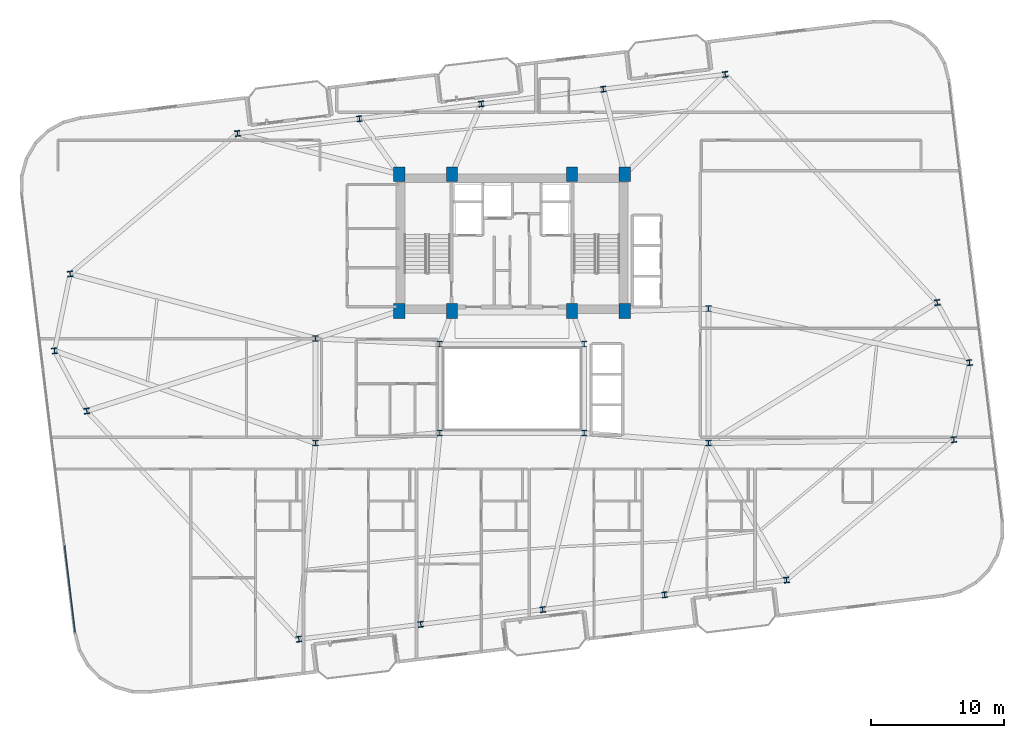
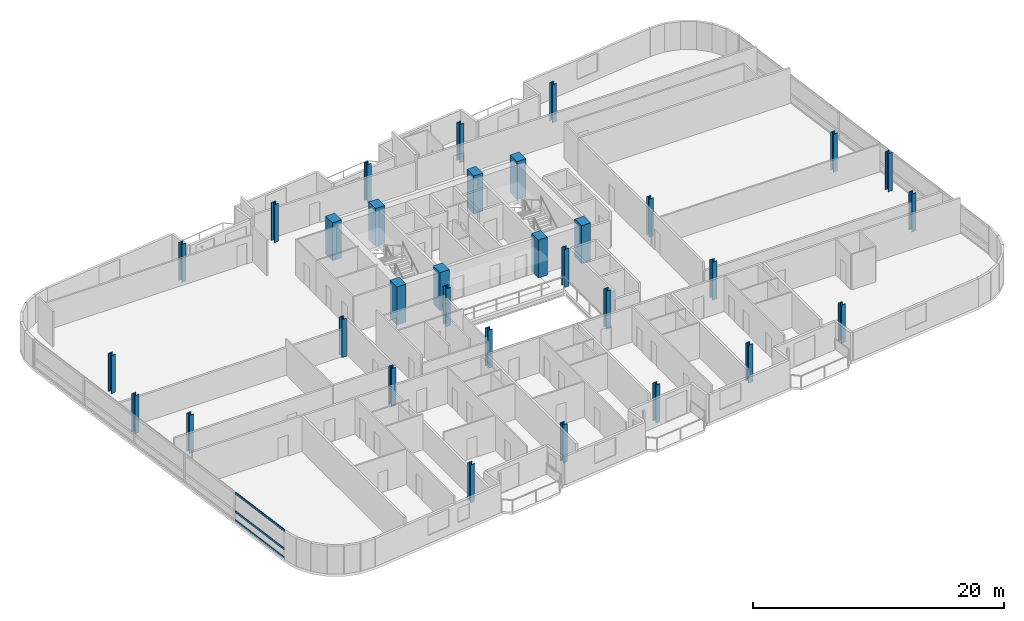
# One storey, part 1 of 23: 32 columns, 3 members, 1 element without a shape of its own.
"""IFC4 building model written with IfcOpenShell, lengths in metres."""

from ifc_helpers import new_model, si_unit, direction, frame, origin, origin_2d, place, context, subcontext, project, spatial, rectangle, hollow_rectangle, i_section, extrude, material, layer, layer_set, material_profile, profile_set, type_object, element, aggregate, save


model = new_model("IFC4")

# Units and contexts
model_context = context("Model", 3, precision=1e-05, world=origin(), true_north=direction((0.0, 1.0)))
body_context = subcontext(model_context, "Body", "Model", "MODEL_VIEW")
ifc_project = project(units=[si_unit("LENGTHUNIT", "METRE"), si_unit("AREAUNIT", "SQUARE_METRE"), si_unit("VOLUMEUNIT", "CUBIC_METRE"), si_unit("PLANEANGLEUNIT", "RADIAN"), si_unit("MASSUNIT", "GRAM", prefix="KILO")], contexts=[model_context])

# Site, building, storey
site_placement = place(None, origin())
site = spatial("IfcSite", under=ifc_project, at=site_placement, CompositionType="ELEMENT")
building_placement = place(site_placement, origin())
building = spatial("IfcBuilding", under=site, at=building_placement, Name="Varnelok Gate Tower", CompositionType="ELEMENT")
storey_placement = place(building_placement, frame((0.0, 0.0, 193.10009765625)))
storey = spatial("IfcBuildingStorey", under=building, at=storey_placement, Name="L49", CompositionType="ELEMENT", Elevation=193.10009765625)

# Columns
ifc_material_1 = material(Name="Concrete C60/75", Category="concrete")
ifc_material_profile_1 = material_profile(ifc_material_1, rectangle(XDim=0.85009765625, YDim=1.10009765625, at=origin_2d()), Name="RC1100X850")
ifc_profile_set_1 = profile_set([ifc_material_profile_1], Name="Concrete C60/75")
column_type_1 = type_object("IfcColumnType", Name="COL-RC1100X850", PredefinedType="COLUMN", material=ifc_profile_set_1)
for number, where, z_axis, x_axis, name in (
    (1, (30.699951171875, 28.75, 0.0), (0.0, 0.0, 1.0), (1.0, 0.0, 0.0), "L49 Core Spine Column SC1"),
    (2, (34.679931640625, 28.75, 0.0), (0.0, 0.0, 1.0), (1.0, 0.0, 0.0), "L49 Core Spine Column SC2"),
    (3, (43.719970703125, 28.75, 0.0), (0.0, 0.0, 1.0), (1.0, 0.0, 0.0), "L49 Core Spine Column SC3"),
    (4, (47.699951171875, 28.75, 0.0), (0.0, 0.0, 1.0), (1.0, 0.0, 0.0), "L49 Core Spine Column SC4"),
    (5, (30.699951171875, 39.050048828125, 0.0), (0.0, 0.0, 1.0), (1.0, 0.0, 0.0), "L49 Core Spine Column SC5"),
    (6, (34.679931640625, 39.050048828125, 0.0), (0.0, 0.0, 1.0), (1.0, 0.0, 0.0), "L49 Core Spine Column SC6"),
    (7, (43.719970703125, 39.050048828125, 0.0), (0.0, 0.0, 1.0), (1.0, 0.0, 0.0), "L49 Core Spine Column SC7"),
    (8, (47.699951171875, 39.050048828125, 0.0), (0.0, 0.0, 1.0), (1.0, 0.0, 0.0), "L49 Core Spine Column SC8"),
):
    element("IfcColumn", number, at=place(storey_placement, frame(where, z_axis=z_axis, x_axis=x_axis)), inside=storey, type_object=column_type_1, Name=name, PredefinedType="COLUMN", context=body_context, shape_type="SweptSolid", body=[
        extrude(rectangle(XDim=0.85009765625, YDim=1.10009765625, at=origin_2d()), origin(), (0.0, 0.0, 1.0), 3.699951171875),
    ])
ifc_material_2 = material(Name="Structural Steel ASTM A992 Grade 50", Category="steel")
ifc_material_profile_2 = material_profile(ifc_material_2, i_section(OverallWidth=0.412109375, OverallDepth=0.43505859375, WebThickness=0.035888671875, FlangeThickness=0.057373046875, FilletRadius=0.02490234375, at=origin_2d()), Name="W14X311")
ifc_profile_set_2 = profile_set([ifc_material_profile_2], Name="Structural Steel ASTM A992 Grade 50")
column_type_2 = type_object("IfcColumnType", Name="COL-W14X311", PredefinedType="COLUMN", material=ifc_profile_set_2)
for number, where, z_axis, x_axis, name in (
    (9, (23.142578125, 4.032958984375, 0.0), (0.0, 0.0, 1.0), (0.992732158755, 0.12034475881, 0.0), "L49 B4 Perimeter Column PC01"),
    (10, (32.325439453125, 5.146240234375, 0.0), (0.0, 0.0, 1.0), (0.992732158755, 0.12034475881, 0.0), "L49 B4 Perimeter Column PC02"),
    (11, (41.50830078125, 6.259521484375, 0.0), (0.0, 0.0, 1.0), (0.992732158755, 0.12034475881, 0.0), "L49 B4 Perimeter Column PC03"),
    (12, (50.69091796875, 7.37255859375, 0.0), (0.0, 0.0, 1.0), (0.992732158755, 0.12034475881, 0.0), "L49 B4 Perimeter Column PC04"),
    (13, (59.873779296875, 8.48583984375, 0.0), (0.0, 0.0, 1.0), (0.992732158755, 0.12034475881, 0.0), "L49 B4 Perimeter Column PC05"),
    (14, (72.476806640625, 19.059326171875, 0.0), (0.0, 0.0, 1.0), (0.992732158755, 0.12034475881, 0.0), "L49 B4 Perimeter Column PC06"),
    (15, (73.654296875, 24.85302734375, 0.0), (0.0, 0.0, 1.0), (0.992732158755, 0.12034475881, 0.0), "L49 B4 Perimeter Column PC07"),
    (16, (71.225341796875, 29.3837890625, 0.0), (0.0, 0.0, 1.0), (0.992732158755, 0.12034475881, 0.0), "L49 B4 Perimeter Column PC08"),
    (17, (55.25732421875, 46.56689453125, 0.0), (0.0, 0.0, 1.0), (0.992732158755, 0.12034475881, 0.0), "L49 B4 Perimeter Column PC09"),
    (18, (46.07470703125, 45.453857421875, 0.0), (0.0, 0.0, 1.0), (0.992732158755, 0.12034475881, 0.0), "L49 B4 Perimeter Column PC10"),
    (19, (36.891845703125, 44.340576171875, 0.0), (0.0, 0.0, 1.0), (0.992732158755, 0.12034475881, 0.0), "L49 B4 Perimeter Column PC11"),
    (20, (27.708984375, 43.227294921875, 0.0), (0.0, 0.0, 1.0), (0.992732158755, 0.12034475881, 0.0), "L49 B4 Perimeter Column PC12"),
    (21, (18.526123046875, 42.1142578125, 0.0), (0.0, 0.0, 1.0), (0.992732158755, 0.12034475881, 0.0), "L49 B4 Perimeter Column PC13"),
    (22, (5.923095703125, 31.540771484375, 0.0), (0.0, 0.0, 1.0), (0.992732158755, 0.12034475881, 0.0), "L49 B4 Perimeter Column PC14"),
    (23, (4.745849609375, 25.746826171875, 0.0), (0.0, 0.0, 1.0), (0.992732158755, 0.12034475881, 0.0), "L49 B4 Perimeter Column PC15"),
    (24, (7.1748046875, 21.21630859375, 0.0), (0.0, 0.0, 1.0), (0.992732158755, 0.12034475881, 0.0), "L49 B4 Perimeter Column PC16"),
):
    element("IfcColumn", number, at=place(storey_placement, frame(where, z_axis=z_axis, x_axis=x_axis)), inside=storey, type_object=column_type_2, Name=name, PredefinedType="COLUMN", context=body_context, shape_type="SweptSolid", body=[
        extrude(i_section(OverallWidth=0.412109375, OverallDepth=0.43505859375, WebThickness=0.035888671875, FlangeThickness=0.057373046875, FilletRadius=0.02490234375, at=origin_2d()), origin(), (0.0, 0.0, 1.0), 3.699951171875),
    ])
ifc_material_profile_3 = material_profile(ifc_material_2, i_section(OverallWidth=0.41796875, OverallDepth=0.455078125, WebThickness=0.0419921875, FlangeThickness=0.067626953125, FilletRadius=0.02490234375, at=origin_2d()), Name="W14X370")
ifc_profile_set_3 = profile_set([ifc_material_profile_3], Name="Structural Steel ASTM A992 Grade 50")
column_type_3 = type_object("IfcColumnType", Name="COL-W14X370", PredefinedType="COLUMN", material=ifc_profile_set_3)
for number, where, z_axis, x_axis, name in (
    (25, (33.75, 19.550048828125, 0.0), (0.0, 0.0, 1.0), (1.0, 0.0, 0.0), "L49 Atrium Spine Column AC1"),
    (26, (44.64990234375, 19.550048828125, 0.0), (0.0, 0.0, 1.0), (1.0, 0.0, 0.0), "L49 Atrium Spine Column AC2"),
    (27, (33.75, 26.25, 0.0), (0.0, 0.0, 1.0), (1.0, 0.0, 0.0), "L49 Atrium Spine Column AC3"),
    (28, (44.64990234375, 26.25, 0.0), (0.0, 0.0, 1.0), (1.0, 0.0, 0.0), "L49 Atrium Spine Column AC4"),
    (29, (24.39990234375, 18.800048828125, 0.0), (0.0, 0.0, 1.0), (1.0, 0.0, 0.0), "L49 Wing Spine Column WS1"),
    (30, (24.39990234375, 26.679931640625, 0.0), (0.0, 0.0, 1.0), (1.0, 0.0, 0.0), "L49 Wing Spine Column WS2"),
    (31, (54.0, 18.800048828125, 0.0), (0.0, 0.0, 1.0), (1.0, 0.0, 0.0), "L49 Wing Spine Column ES1"),
    (32, (54.0, 28.919921875, 0.0), (0.0, 0.0, 1.0), (1.0, 0.0, 0.0), "L49 Wing Spine Column ES2"),
):
    element("IfcColumn", number, at=place(storey_placement, frame(where, z_axis=z_axis, x_axis=x_axis)), inside=storey, type_object=column_type_3, Name=name, PredefinedType="COLUMN", context=body_context, shape_type="SweptSolid", body=[
        extrude(i_section(OverallWidth=0.41796875, OverallDepth=0.455078125, WebThickness=0.0419921875, FlangeThickness=0.067626953125, FilletRadius=0.02490234375, at=origin_2d()), origin(), (0.0, 0.0, 1.0), 3.699951171875),
    ])

# Curtain wall, members
ifc_material_3 = material(Name="Anodized Aluminum Alloy 6063-T6", Category="aluminium")
ifc_layer = layer(ifc_material_3, 0.179931640625)
ifc_layer_set = layer_set([ifc_layer], Name="Anodized Aluminum Alloy 6063-T6")
curtain_wall_type = type_object("IfcCurtainWallType", Name="CW4-RESIDENCE-VISION", PredefinedType="USERDEFINED", material=ifc_layer_set)
curtain_wall_placement = place(storey_placement, origin())
curtain_wall = element("IfcCurtainWall", 33, at=curtain_wall_placement, inside=storey, type_object=curtain_wall_type, Name="L49 West End Vision Curtain Wall", ObjectType="UNITISED CURTAIN WALL", PredefinedType="USERDEFINED")
ifc_material_profile_4 = material_profile(ifc_material_3, hollow_rectangle(XDim=0.074951171875, YDim=0.199951171875, WallThickness=0.00390625, at=origin_2d()), Name="ALU200X75X4")
ifc_profile_set_4 = profile_set([ifc_material_profile_4], Name="Anodized Aluminum Alloy 6063-T6")
member_type = type_object("IfcMemberType", Name="CW-TRAN-200", PredefinedType="USERDEFINED", material=ifc_profile_set_4)
member_1_placement = place(storey_placement, frame((6.29638671875, 4.564453125, 0.037353515625), z_axis=(-0.120369113246, 0.992729206066, 0.0), x_axis=(-0.992729206066, -0.120369113246, 0.0)))
member_1 = element("IfcMember", 34, at=member_1_placement, type_object=member_type, Name="CW4 transom 1.1", ObjectType="TRANSOM", PredefinedType="USERDEFINED", context=body_context, shape_type="SweptSolid", body=[
    extrude(hollow_rectangle(XDim=0.074951171875, YDim=0.199951171875, WallThickness=0.00390625, at=origin_2d()), origin(), (0.0, 0.0, 1.0), 6.567626953125),
])
member_2_placement = place(storey_placement, frame((6.29638671875, 4.564453125, 0.89990234375), z_axis=(-0.120369113246, 0.992729206066, 0.0), x_axis=(-0.992729206066, -0.120369113246, 0.0)))
member_2 = element("IfcMember", 35, at=member_2_placement, type_object=member_type, Name="CW4 transom 1.2", ObjectType="TRANSOM", PredefinedType="USERDEFINED", context=body_context, shape_type="SweptSolid", body=[
    extrude(hollow_rectangle(XDim=0.074951171875, YDim=0.199951171875, WallThickness=0.00390625, at=origin_2d()), origin(), (0.0, 0.0, 1.0), 6.567626953125),
])
member_3_placement = place(storey_placement, frame((6.29638671875, 4.564453125, 2.6923828125), z_axis=(-0.120369113246, 0.992729206066, 0.0), x_axis=(-0.992729206066, -0.120369113246, 0.0)))
member_3 = element("IfcMember", 36, at=member_3_placement, type_object=member_type, Name="CW4 transom 1.3", ObjectType="TRANSOM", PredefinedType="USERDEFINED", context=body_context, shape_type="SweptSolid", body=[
    extrude(hollow_rectangle(XDim=0.074951171875, YDim=0.199951171875, WallThickness=0.00390625, at=origin_2d()), origin(), (0.0, 0.0, 1.0), 6.567626953125),
])
aggregate(curtain_wall, [member_1, member_2, member_3])

save(model, "model.ifc")
